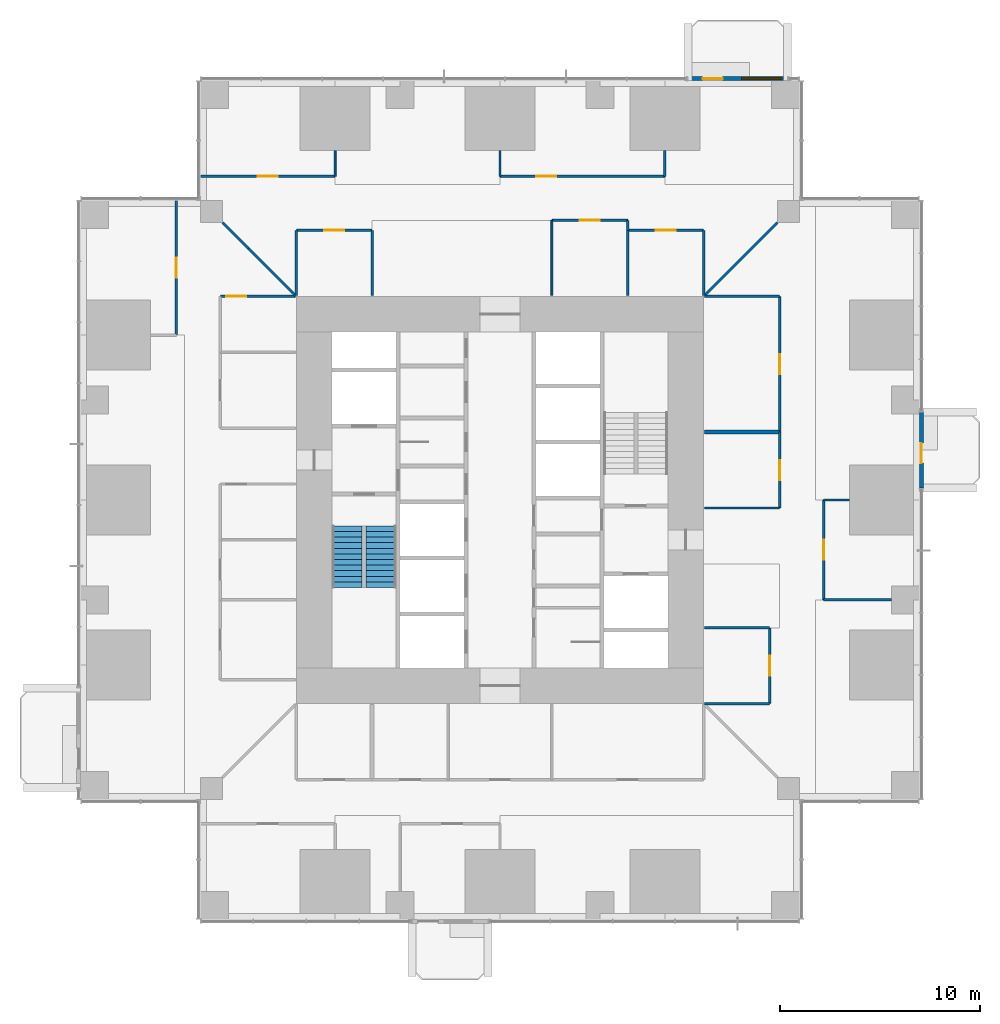
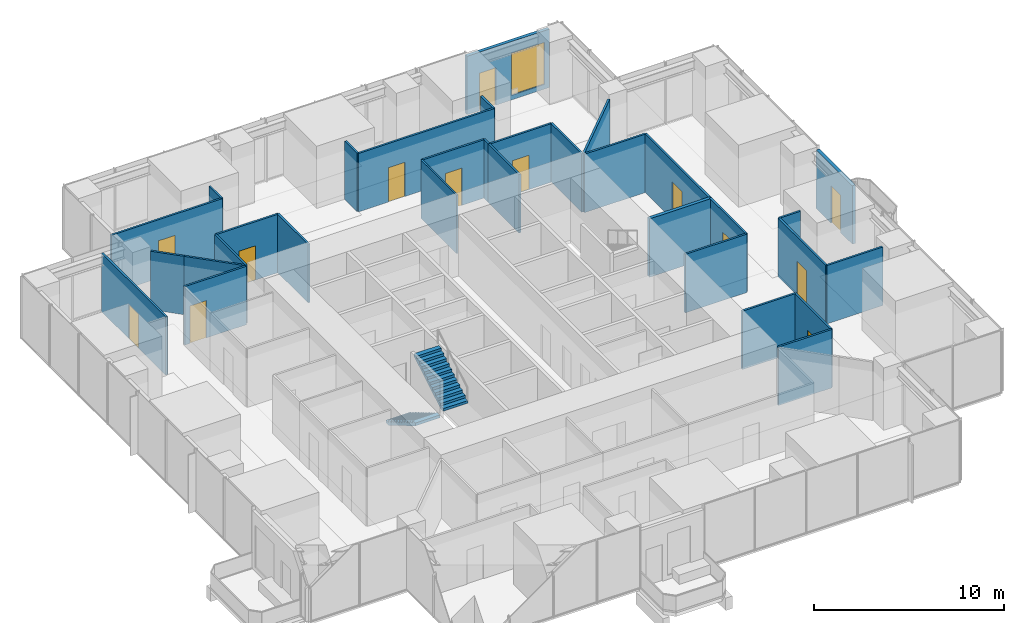
# One storey, part 13 of 17: 32 walls, 13 doors, 2 stair flights, 1 window, 14 openings, 1 element without a shape of its own.
"""IFC4 building model written with IfcOpenShell, lengths in metres."""

import ifcopenshell
import ifcopenshell.guid

model = None  # the IFC model being written
_history = None  # IfcOwnerHistory: only IFC2X3 demands one
_inside = {}  # id of a spatial element -> (the spatial element, [elements in it])
_under = {}  # id of a project, library or spatial element -> (it, [spatial elements below it])
_declared = {}  # id of a project -> (the project, [libraries it declares])
_typed = {}  # id of a type object -> (the type object, [elements of that type])
_made_of = {}  # id of a material, layer set ... -> (it, [elements and type objects made of it])


def new_model(schema):
    """Start an empty IFC model of exactly this schema.

    Asked for "IFC4X3", IfcOpenShell would pick the latest addendum, in which some entities
    have other attributes; the version numbers below select the first issue.
    IFC2X3 requires an IfcOwnerHistory on every rooted entity: one is made here for all.
    """
    global model, _history
    if schema == "IFC4X3":
        model = ifcopenshell.file(schema_version=(4, 3, 0, 0))
    else:
        model = ifcopenshell.file(schema=schema)
    _inside.clear()
    _under.clear()
    _declared.clear()
    _typed.clear()
    _made_of.clear()
    _history = None
    if model.schema == "IFC2X3":
        org = make("IfcOrganization", Name="unknown")
        user = make(
            "IfcPersonAndOrganization",
            ThePerson=make("IfcPerson", FamilyName="unknown"),
            TheOrganization=org,
        )
        app = make(
            "IfcApplication",
            ApplicationDeveloper=org,
            Version="unknown",
            ApplicationFullName="unknown",
            ApplicationIdentifier="unknown",
        )
        _history = make(
            "IfcOwnerHistory",
            OwningUser=user,
            OwningApplication=app,
            ChangeAction="ADDED",
            CreationDate=0,
        )
    return model


def make(cls, **values):
    """One entity of the class cls with the attributes given. An attribute that is None is left unset."""
    return model.create_entity(
        cls, **{name: value for name, value in values.items() if value is not None}
    )


def rooted(cls, **values):
    """An entity with a GlobalId (a new one), such as an element, a storey or a relation."""
    return make(cls, GlobalId=ifcopenshell.guid.new(), OwnerHistory=_history, **values)


def si_unit(unit_type, name, prefix=None):
    """IfcSIUnit, for example si_unit("LENGTHUNIT", "METRE", prefix="MILLI")."""
    return make("IfcSIUnit", UnitType=unit_type, Prefix=prefix, Name=name)


def assignment(units):
    """IfcUnitAssignment: the units of a project."""
    return None if units is None else make("IfcUnitAssignment", Units=units)


def point(xyz):
    """IfcCartesianPoint."""
    return None if xyz is None else make("IfcCartesianPoint", Coordinates=xyz)


def direction(xyz):
    """IfcDirection."""
    return None if xyz is None else make("IfcDirection", DirectionRatios=xyz)


def frame(location, z_axis=None, x_axis=None):
    """IfcAxis2Placement3D, a coordinate frame: its origin and axes. An axis left out is left unset."""
    return make(
        "IfcAxis2Placement3D",
        Location=point(location),
        Axis=direction(z_axis),
        RefDirection=direction(x_axis),
    )


def frame_2d(location, x_axis=None):
    """IfcAxis2Placement2D, a coordinate frame in the plane: its origin and x axis."""
    return make(
        "IfcAxis2Placement2D", Location=point(location), RefDirection=direction(x_axis)
    )


def origin():
    """The frame at (0, 0, 0) with its axes left unset."""
    return frame((0.0, 0.0, 0.0))


def place(relative_to, where):
    """IfcLocalPlacement: puts the frame where relative to a parent placement (None: the world)."""
    return make(
        "IfcLocalPlacement", PlacementRelTo=relative_to, RelativePlacement=where
    )


def context(
    kind, dimensions, precision=None, world=None, true_north=None, identifier=None
):
    """IfcGeometricRepresentationContext, for example the 3D "Model" context."""
    return make(
        "IfcGeometricRepresentationContext",
        ContextIdentifier=identifier,
        ContextType=kind,
        CoordinateSpaceDimension=dimensions,
        Precision=precision,
        WorldCoordinateSystem=world,
        TrueNorth=true_north,
    )


def subcontext(parent, identifier, kind, view, scale=None):
    """IfcGeometricRepresentationSubContext, for example "Body" below "Model"."""
    return make(
        "IfcGeometricRepresentationSubContext",
        ContextIdentifier=identifier,
        ContextType=kind,
        ParentContext=parent,
        TargetScale=scale,
        TargetView=view,
    )


def project(units=None, contexts=None):
    """IfcProject with its units and contexts."""
    return rooted(
        "IfcProject",
        Name="project",
        RepresentationContexts=contexts,
        UnitsInContext=assignment(units),
    )


def spatial(cls, under=None, at=None, **own):
    """A site, building, storey or space (cls), placed at a placement, below another one or the project."""
    s = rooted(cls, ObjectPlacement=at, **own)
    if under is not None:
        _under.setdefault(under.id(), (under, []))[1].append(s)
    return s


def polyline(points):
    """IfcPolyline through the points."""
    return make("IfcPolyline", Points=[point(p) for p in points])


def profile(cls, at=None, kind="AREA", **sizes):
    """A parametric profile (cls). Its sizes go by their IFC names, for example OverallWidth=200.0."""
    return make(cls, ProfileType=kind, Position=at, **sizes)


def rectangle(**sizes):
    """IfcRectangleProfileDef."""
    return profile("IfcRectangleProfileDef", **sizes)


def outline(outer, holes=None, kind="AREA"):
    """IfcArbitraryClosedProfileDef: a profile drawn as a closed curve; with holes, ...WithVoids."""
    if holes is None:
        return make("IfcArbitraryClosedProfileDef", ProfileType=kind, OuterCurve=outer)
    return make(
        "IfcArbitraryProfileDefWithVoids",
        ProfileType=kind,
        OuterCurve=outer,
        InnerCurves=holes,
    )


def extrude(swept, where, along, depth):
    """IfcExtrudedAreaSolid: the profile swept, set in the frame where, extruded along a direction by depth."""
    return make(
        "IfcExtrudedAreaSolid",
        SweptArea=swept,
        Position=where,
        ExtrudedDirection=direction(along),
        Depth=depth,
    )


def shape(context_of_items, identifier, shape_type, items):
    """IfcShapeRepresentation: the items that make up one representation, for example the "Body"."""
    return make(
        "IfcShapeRepresentation",
        ContextOfItems=context_of_items,
        RepresentationIdentifier=identifier,
        RepresentationType=shape_type,
        Items=items,
    )


def material(Name=None, Category=None):
    """IfcMaterial."""
    return make("IfcMaterial", Name=Name, Category=Category)


def layer(
    of_material, thickness, ventilated=None, Name=None, Category=None, Priority=None
):
    """IfcMaterialLayer: one layer of a wall or slab, of a material (None: an air gap)."""
    return make(
        "IfcMaterialLayer",
        Material=of_material,
        LayerThickness=thickness,
        IsVentilated=ventilated,
        Name=Name,
        Category=Category,
        Priority=Priority,
    )


def layer_set(layers, Name=None):
    """IfcMaterialLayerSet."""
    return make("IfcMaterialLayerSet", MaterialLayers=layers, LayerSetName=Name)


def made_of(thing, what):
    """Note that an element or type object is made of a material, layer set ...; save() writes the relation."""
    if what is not None:
        _made_of.setdefault(what.id(), (what, []))[1].append(thing)
    return thing


def type_object(cls, material=None, **own):
    """A type object (cls), such as IfcWallType, which elements share."""
    return made_of(rooted(cls, **own), material)


def element(
    cls,
    number,
    at=None,
    inside=None,
    cuts=None,
    type_object=None,
    material=None,
    context=None,
    identifier="Body",
    shape_type=None,
    held_by="IfcProductDefinitionShape",
    body=None,
    shapes=None,
    **own,
):
    """One element of the class cls, such as IfcWall. Its Tag is "e" and its number.

    at: its placement. inside: the storey or other place that contains it. cuts: it is an
    opening in that element (IfcRelVoidsElement). A single representation is given by context,
    identifier, shape_type and body (its items); several are given by shapes. held_by: the class
    of the entity that holds the representations. save() writes the other relations.
    """
    e = rooted(cls, Tag="e%d" % number, ObjectPlacement=at, **own)
    if body is not None:
        shapes = [shape(context, identifier, shape_type, body)]
    if shapes is not None:
        e.Representation = make(held_by, Representations=shapes)
    if inside is not None:
        _inside.setdefault(inside.id(), (inside, []))[1].append(e)
    if cuts is not None:
        rooted(
            "IfcRelVoidsElement", RelatingBuildingElement=cuts, RelatedOpeningElement=e
        )
    if type_object is not None:
        _typed.setdefault(type_object.id(), (type_object, []))[1].append(e)
    return made_of(e, material)


def fill(opening, filler):
    """IfcRelFillsElement: the door or window that sits in an opening."""
    return rooted(
        "IfcRelFillsElement",
        RelatingOpeningElement=opening,
        RelatedBuildingElement=filler,
    )


def aggregate(whole, parts):
    """IfcRelAggregates: a whole, such as a stair, and the parts it consists of."""
    return rooted("IfcRelAggregates", RelatingObject=whole, RelatedObjects=parts)


def save(model, path):
    """Write the relations noted so far, then the file.

    IfcRelAggregates (storeys below a building ...), IfcRelContainedInSpatialStructure (elements
    in a storey), IfcRelDefinesByType, IfcRelAssociatesMaterial and IfcRelDeclares: one each for
    every whole, place, type object, material and project.
    """
    for whole, parts in _under.values():
        aggregate(whole, parts)
    for where, things in _inside.values():
        rooted(
            "IfcRelContainedInSpatialStructure",
            RelatedElements=things,
            RelatingStructure=where,
        )
    for kind, things in _typed.values():
        rooted("IfcRelDefinesByType", RelatedObjects=things, RelatingType=kind)
    for what, things in _made_of.values():
        rooted("IfcRelAssociatesMaterial", RelatedObjects=things, RelatingMaterial=what)
    for by, libraries in _declared.values():
        rooted("IfcRelDeclares", RelatingContext=by, RelatedDefinitions=libraries)
    model.write(path)


model = new_model("IFC4")

# Units and contexts
model_context = context("Model", 3, precision=1e-05, world=origin(), true_north=direction((0.0, 1.0)))
body_context = subcontext(model_context, "Body", "Model", "MODEL_VIEW")
ifc_project = project(units=[si_unit("LENGTHUNIT", "METRE"), si_unit("AREAUNIT", "SQUARE_METRE"), si_unit("VOLUMEUNIT", "CUBIC_METRE"), si_unit("PLANEANGLEUNIT", "RADIAN"), si_unit("MASSUNIT", "GRAM", prefix="KILO")], contexts=[model_context])

# Site, building, storey
site_placement = place(None, origin())
site = spatial("IfcSite", under=ifc_project, at=site_placement, CompositionType="ELEMENT")
building_placement = place(site_placement, origin())
building = spatial("IfcBuilding", under=site, at=building_placement, Name="Svetlomir Tower", CompositionType="ELEMENT")
storey_placement = place(building_placement, frame((0.0, 0.0, 70.5)))
storey = spatial("IfcBuildingStorey", under=building, at=storey_placement, Name="L16", CompositionType="ELEMENT", Elevation=70.5)

# Wall
ifc_material_1 = material(Name="Gypsum board on twin steel studs", Category="steel")
ifc_layer_1 = layer(ifc_material_1, 0.199951171875)
ifc_layer_set_1 = layer_set([ifc_layer_1], Name="Gypsum board on twin steel studs")
wall_type_1 = type_object("IfcWallType", Name="ACOUSTIC PARTITION 200", PredefinedType="PARTITIONING", material=ifc_layer_set_1)
wall_1_placement = place(storey_placement, frame((31.25, 24.39990234375, 0.0), z_axis=(0.0, 0.0, 1.0), x_axis=(1.0, 0.0, 0.0)))
element("IfcWall", 1, at=wall_1_placement, inside=storey, type_object=wall_type_1, Name="Acoustic partition L16", PredefinedType="PARTITIONING", context=body_context, shape_type="SweptSolid", body=[
    extrude(rectangle(XDim=3.75, YDim=0.199951171875, at=frame_2d((1.875, 0.0))), origin(), (0.0, 0.0, 1.0), 3.75),
])

# Wall, opening, door
ifc_material_2 = material(Name="Bronze anodised aluminium glazed screen", Category="aluminium")
ifc_layer_2 = layer(ifc_material_2, 0.199951171875)
ifc_layer_set_2 = layer_set([ifc_layer_2], Name="Bronze anodised aluminium glazed screen")
wall_type_2 = type_object("IfcWallType", Name="BALCONY SCREEN WALL 200", PredefinedType="USERDEFINED", material=ifc_layer_set_2)
wall_2_placement = place(storey_placement, frame((42.10009765625, 21.60009765625, 0.0), z_axis=(0.0, 0.0, 1.0), x_axis=(0.0, 1.0, 0.0)))
wall_2 = element("IfcWall", 2, at=wall_2_placement, inside=storey, type_object=wall_type_2, Name="Balcony screen E", ObjectType="GLAZED SCREEN", PredefinedType="USERDEFINED", context=body_context, shape_type="SweptSolid", body=[
    extrude(rectangle(XDim=3.7998046875, YDim=0.199951171875, at=frame_2d((1.89990234375, 0.0))), origin(), (0.0, 0.0, 1.0), 3.75),
])
opening_1_placement = place(wall_2_placement, frame((1.25, 0.0, 0.0)))
opening_1 = element("IfcOpeningElement", 3, at=opening_1_placement, cuts=wall_2, Name="Opening BD", PredefinedType="OPENING", context=body_context, shape_type="SweptSolid", body=[
    extrude(rectangle(XDim=1.0, YDim=2.39990234375, at=frame_2d((0.5, 1.199951171875))), frame((0.0, 0.10986328125, 0.0), z_axis=(0.0, -1.0, 0.0), x_axis=(1.0, 0.0, 0.0)), (0.0, 0.0, 1.0), 0.219970703125),
])
ifc_material_3 = material(Name="Bronze anodised aluminium glazed door", Category="aluminium")
door_type_1 = type_object("IfcDoorType", Name="BALCONY DOOR BD 1000x2400", OperationType="SINGLE_SWING_LEFT", PredefinedType="DOOR", material=ifc_material_3)
door_1_placement = place(opening_1_placement, origin())
door_1 = element("IfcDoor", 4, at=door_1_placement, inside=storey, type_object=door_type_1, Name="Balcony screen E door", OperationType="SINGLE_SWING_LEFT", OverallHeight=2.39990234375, OverallWidth=1.0, PredefinedType="DOOR", context=body_context, shape_type="SweptSolid", body=[
    extrude(rectangle(XDim=1.0, YDim=2.39990234375, at=frame_2d((0.5, 1.199951171875))), frame((0.0, 0.02490234375, 0.0), z_axis=(0.0, -1.0, 0.0), x_axis=(1.0, 0.0, 0.0)), (0.0, 0.0, 1.0), 0.050048828125),
])
fill(opening_1, door_1)

# Wall, openings, door, window
wall_3_placement = place(storey_placement, frame((35.39990234375, 42.10009765625, 0.0), z_axis=(0.0, 0.0, 1.0), x_axis=(-1.0, 0.0, 0.0)))
wall_3 = element("IfcWall", 5, at=wall_3_placement, inside=storey, type_object=wall_type_2, Name="Balcony screen N", ObjectType="GLAZED SCREEN", PredefinedType="USERDEFINED", context=body_context, shape_type="SweptSolid", body=[
    extrude(rectangle(XDim=5.0, YDim=0.199951171875, at=frame_2d((2.5, 0.0))), origin(), (0.0, 0.0, 1.0), 3.75),
])
opening_2_placement = place(wall_3_placement, frame((3.25, 0.0, 0.0)))
opening_2 = element("IfcOpeningElement", 6, at=opening_2_placement, cuts=wall_3, Name="Opening BD", PredefinedType="OPENING", context=body_context, shape_type="SweptSolid", body=[
    extrude(rectangle(XDim=1.0, YDim=2.39990234375, at=frame_2d((0.5, 1.199951171875))), frame((0.0, 0.10986328125, 0.0), z_axis=(0.0, -1.0, 0.0), x_axis=(1.0, 0.0, 0.0)), (0.0, 0.0, 1.0), 0.219970703125),
])
opening_3_placement = place(wall_3_placement, frame((0.300048828125, 0.0, 0.300048828125)))
opening_3 = element("IfcOpeningElement", 7, at=opening_3_placement, cuts=wall_3, Name="Opening WS", PredefinedType="OPENING", context=body_context, shape_type="SweptSolid", body=[
    extrude(rectangle(XDim=2.0, YDim=2.699951171875, at=frame_2d((1.0, 1.35009765625))), frame((0.0, 0.10986328125, 0.0), z_axis=(0.0, -1.0, 0.0), x_axis=(1.0, 0.0, 0.0)), (0.0, 0.0, 1.0), 0.219970703125),
])
door_2_placement = place(opening_2_placement, origin())
door_2 = element("IfcDoor", 8, at=door_2_placement, inside=storey, type_object=door_type_1, Name="Balcony screen N door", OperationType="SINGLE_SWING_LEFT", OverallHeight=2.39990234375, OverallWidth=1.0, PredefinedType="DOOR", context=body_context, shape_type="SweptSolid", body=[
    extrude(rectangle(XDim=1.0, YDim=2.39990234375, at=frame_2d((0.5, 1.199951171875))), frame((0.0, 0.02490234375, 0.0), z_axis=(0.0, -1.0, 0.0), x_axis=(1.0, 0.0, 0.0)), (0.0, 0.0, 1.0), 0.050048828125),
])
fill(opening_2, door_2)
ifc_material_4 = material(Name="Bronze anodised aluminium window", Category="aluminium")
window_type = type_object("IfcWindowType", Name="SCREEN WINDOW WS 2000x2700", PartitioningType="SINGLE_PANEL", PredefinedType="WINDOW", material=ifc_material_4)
window_placement = place(opening_3_placement, origin())
window = element("IfcWindow", 9, at=window_placement, inside=storey, type_object=window_type, Name="Balcony screen N window 1", OverallHeight=2.699951171875, OverallWidth=2.0, PartitioningType="SINGLE_PANEL", PredefinedType="WINDOW", context=body_context, shape_type="SweptSolid", body=[
    extrude(rectangle(XDim=2.0, YDim=2.699951171875, at=frame_2d((1.0, 1.35009765625))), frame((0.0, 0.030029296875, 0.0), z_axis=(0.0, -1.0, 0.0), x_axis=(1.0, 0.0, 0.0)), (0.0, 0.0, 1.0), 0.06005859375),
])
fill(opening_3, window)

# Walls
ifc_material_5 = material(Name="Framed laminated glass partition", Category="glass")
ifc_layer_3 = layer(ifc_material_5, 0.10009765625)
ifc_layer_set_3 = layer_set([ifc_layer_3], Name="Framed laminated glass partition")
wall_type_3 = type_object("IfcWallType", Name="GLAZED PARTITION 100", PredefinedType="PARTITIONING", material=ifc_layer_set_3)
wall_4_placement = place(storey_placement, frame((12.75, 37.199951171875, 0.0), z_axis=(0.0, 0.0, 1.0), x_axis=(0.0, 1.0, 0.0)))
element("IfcWall", 10, at=wall_4_placement, inside=storey, type_object=wall_type_3, Name="Glazed partition L16", PredefinedType="PARTITIONING", context=body_context, shape_type="SweptSolid", body=[
    extrude(rectangle(XDim=1.2900390625, YDim=0.10009765625, at=frame_2d((0.64501953125, 0.0))), origin(), (0.0, 0.0, 1.0), 3.75),
])
wall_5_placement = place(storey_placement, frame((23.60009765625, 31.25, 0.0), z_axis=(0.0, 0.0, 1.0), x_axis=(0.0, 1.0, 0.0)))
element("IfcWall", 11, at=wall_5_placement, inside=storey, type_object=wall_type_3, Name="Glazed partition L16", PredefinedType="PARTITIONING", context=body_context, shape_type="SweptSolid", body=[
    extrude(rectangle(XDim=3.75, YDim=0.10009765625, at=frame_2d((1.875, 0.0))), origin(), (0.0, 0.0, 1.0), 3.75),
])

# Wall, opening, door
ifc_material_6 = material(Name="Gypsum board on steel studs", Category="steel")
ifc_layer_4 = layer(ifc_material_6, 0.1201171875)
ifc_layer_set_4 = layer_set([ifc_layer_4], Name="Gypsum board on steel studs")
wall_type_4 = type_object("IfcWallType", Name="PARTITION 120", PredefinedType="PARTITIONING", material=ifc_layer_set_4)
wall_6_placement = place(storey_placement, frame((4.800048828125, 29.25, 0.0), z_axis=(0.0, 0.0, 1.0), x_axis=(0.0, 1.0, 0.0)))
wall_6 = element("IfcWall", 12, at=wall_6_placement, inside=storey, type_object=wall_type_4, Name="Partition L16", PredefinedType="PARTITIONING", context=body_context, shape_type="SweptSolid", body=[
    extrude(rectangle(XDim=6.75, YDim=0.1201171875, at=frame_2d((3.375, 0.0))), origin(), (0.0, 0.0, 1.0), 3.75),
])
opening_4_placement = place(wall_6_placement, frame((2.875, 0.0, 0.0)))
opening_4 = element("IfcOpeningElement", 13, at=opening_4_placement, cuts=wall_6, Name="Opening DR", PredefinedType="OPENING", context=body_context, shape_type="SweptSolid", body=[
    extrude(rectangle(XDim=1.0, YDim=2.199951171875, at=frame_2d((0.5, 1.10009765625))), frame((0.0, 0.070068359375, 0.0), z_axis=(0.0, -1.0, 0.0), x_axis=(1.0, 0.0, 0.0)), (0.0, 0.0, 1.0), 0.14013671875),
])
ifc_material_7 = material(Name="Timber door, glazed side light", Category="wood")
door_type_2 = type_object("IfcDoorType", Name="DOOR DR 1000x2200", OperationType="SINGLE_SWING_LEFT", PredefinedType="DOOR", material=ifc_material_7)
door_3_placement = place(opening_4_placement, origin())
door_3 = element("IfcDoor", 14, at=door_3_placement, inside=storey, type_object=door_type_2, Name="Facilities manager office door L16", OperationType="SINGLE_SWING_LEFT", OverallHeight=2.199951171875, OverallWidth=1.0, PredefinedType="DOOR", context=body_context, shape_type="SweptSolid", body=[
    extrude(rectangle(XDim=1.0, YDim=2.199951171875, at=frame_2d((0.5, 1.10009765625))), frame((0.0, 0.02490234375, 0.0), z_axis=(0.0, -1.0, 0.0), x_axis=(1.0, 0.0, 0.0)), (0.0, 0.0, 1.0), 0.050048828125),
])
fill(opening_4, door_3)

wall_7_placement = place(storey_placement, frame((6.0, 37.199951171875, 0.0), z_axis=(0.0, 0.0, 1.0), x_axis=(1.0, 0.0, 0.0)))
wall_7 = element("IfcWall", 15, at=wall_7_placement, inside=storey, type_object=wall_type_4, Name="Partition L16", PredefinedType="PARTITIONING", context=body_context, shape_type="SweptSolid", body=[
    extrude(rectangle(XDim=6.75, YDim=0.1201171875, at=frame_2d((3.375, 0.0))), origin(), (0.0, 0.0, 1.0), 3.75),
])
opening_5_placement = place(wall_7_placement, frame((2.875, 0.0, 0.0)))
opening_5 = element("IfcOpeningElement", 16, at=opening_5_placement, cuts=wall_7, Name="Opening DG", PredefinedType="OPENING", context=body_context, shape_type="SweptSolid", body=[
    extrude(rectangle(XDim=1.0, YDim=2.39990234375, at=frame_2d((0.5, 1.199951171875))), frame((0.0, 0.070068359375, 0.0), z_axis=(0.0, -1.0, 0.0), x_axis=(1.0, 0.0, 0.0)), (0.0, 0.0, 1.0), 0.14013671875),
])
ifc_material_8 = material(Name="Framed laminated glass door", Category="glass")
door_type_3 = type_object("IfcDoorType", Name="GLAZED DOOR DG 1000x2400", OperationType="SINGLE_SWING_LEFT", PredefinedType="DOOR", material=ifc_material_8)
door_4_placement = place(opening_5_placement, origin())
door_4 = element("IfcDoor", 17, at=door_4_placement, inside=storey, type_object=door_type_3, Name="Plan review room, 10 seats door L16", OperationType="SINGLE_SWING_RIGHT", OverallHeight=2.39990234375, OverallWidth=1.0, PredefinedType="DOOR", context=body_context, shape_type="SweptSolid", body=[
    extrude(rectangle(XDim=1.0, YDim=2.39990234375, at=frame_2d((0.5, 1.199951171875))), frame((0.0, 0.02490234375, 0.0), z_axis=(0.0, -1.0, 0.0), x_axis=(1.0, 0.0, 0.0)), (0.0, 0.0, 1.0), 0.050048828125),
])
fill(opening_5, door_4)

wall_8_placement = place(storey_placement, frame((7.0, 31.199951171875, 0.0), z_axis=(0.0, 0.0, 1.0), x_axis=(1.0, 0.0, 0.0)))
wall_8 = element("IfcWall", 18, at=wall_8_placement, inside=storey, type_object=wall_type_4, Name="Partition L16", PredefinedType="PARTITIONING", context=body_context, shape_type="SweptSolid", body=[
    extrude(rectangle(XDim=3.75, YDim=0.1201171875, at=frame_2d((1.875, 0.0))), origin(), (0.0, 0.0, 1.0), 3.75),
])
opening_6_placement = place(wall_8_placement, frame((0.300048828125, 0.0, 0.0)))
opening_6 = element("IfcOpeningElement", 19, at=opening_6_placement, cuts=wall_8, Name="Opening DG", PredefinedType="OPENING", context=body_context, shape_type="SweptSolid", body=[
    extrude(rectangle(XDim=1.0, YDim=2.39990234375, at=frame_2d((0.5, 1.199951171875))), frame((0.0, 0.070068359375, 0.0), z_axis=(0.0, -1.0, 0.0), x_axis=(1.0, 0.0, 0.0)), (0.0, 0.0, 1.0), 0.14013671875),
])
door_5_placement = place(opening_6_placement, origin())
door_5 = element("IfcDoor", 20, at=door_5_placement, inside=storey, type_object=door_type_3, Name="Ring corridor 3 door 2 L16", OperationType="SINGLE_SWING_LEFT", OverallHeight=2.39990234375, OverallWidth=1.0, PredefinedType="DOOR", context=body_context, shape_type="SweptSolid", body=[
    extrude(rectangle(XDim=1.0, YDim=2.39990234375, at=frame_2d((0.5, 1.199951171875))), frame((0.0, 0.02490234375, 0.0), z_axis=(0.0, -1.0, 0.0), x_axis=(1.0, 0.0, 0.0)), (0.0, 0.0, 1.0), 0.050048828125),
])
fill(opening_6, door_5)

# Walls
wall_9_placement = place(storey_placement, frame((7.110107421875, 34.889892578125, 0.0), z_axis=(0.0, 0.0, 1.0), x_axis=(0.707106781187, -0.707106781187, 0.0)))
element("IfcWall", 21, at=wall_9_placement, inside=storey, type_object=wall_type_4, Name="Partition L16", PredefinedType="PARTITIONING", context=body_context, shape_type="SweptSolid", body=[
    extrude(rectangle(XDim=1.822021484375, YDim=0.1201171875, at=frame_2d((0.9111328125, 0.0))), origin(), (0.0, 0.0, 1.0), 3.75),
])
wall_10_placement = place(storey_placement, frame((8.3984375, 33.6015625, 0.0), z_axis=(0.0, 0.0, 1.0), x_axis=(0.707106781187, -0.707106781187, 0.0)))
element("IfcWall", 22, at=wall_10_placement, inside=storey, type_object=wall_type_4, Name="Partition L16", PredefinedType="PARTITIONING", context=body_context, shape_type="SweptSolid", body=[
    extrude(rectangle(XDim=3.346435546875, YDim=0.1201171875, at=frame_2d((1.67333984375, 0.0))), origin(), (0.0, 0.0, 1.0), 3.75),
])
wall_11_placement = place(storey_placement, frame((10.800048828125, 31.25, 0.0), z_axis=(0.0, 0.0, 1.0), x_axis=(0.0, 1.0, 0.0)))
element("IfcWall", 23, at=wall_11_placement, inside=storey, type_object=wall_type_4, Name="Partition L16", PredefinedType="PARTITIONING", context=body_context, shape_type="SweptSolid", body=[
    extrude(rectangle(XDim=3.25, YDim=0.1201171875, at=frame_2d((1.625, 0.0))), origin(), (0.0, 0.0, 1.0), 3.75),
])

# Wall, opening, door
wall_12_placement = place(storey_placement, frame((10.800048828125, 34.5, 0.0), z_axis=(0.0, 0.0, 1.0), x_axis=(1.0, 0.0, 0.0)))
wall_12 = element("IfcWall", 24, at=wall_12_placement, inside=storey, type_object=wall_type_4, Name="Partition L16", PredefinedType="PARTITIONING", context=body_context, shape_type="SweptSolid", body=[
    extrude(rectangle(XDim=3.800048828125, YDim=0.1201171875, at=frame_2d((1.89990234375, 0.0))), origin(), (0.0, 0.0, 1.0), 3.75),
])
opening_7_placement = place(wall_12_placement, frame((1.39990234375, 0.0, 0.0)))
opening_7 = element("IfcOpeningElement", 25, at=opening_7_placement, cuts=wall_12, Name="Opening DR", PredefinedType="OPENING", context=body_context, shape_type="SweptSolid", body=[
    extrude(rectangle(XDim=1.0, YDim=2.199951171875, at=frame_2d((0.5, 1.10009765625))), frame((0.0, 0.070068359375, 0.0), z_axis=(0.0, -1.0, 0.0), x_axis=(1.0, 0.0, 0.0)), (0.0, 0.0, 1.0), 0.14013671875),
])
door_6_placement = place(opening_7_placement, origin())
door_6 = element("IfcDoor", 26, at=door_6_placement, inside=storey, type_object=door_type_2, Name="Plan chest store door L16", OperationType="SINGLE_SWING_RIGHT", OverallHeight=2.199951171875, OverallWidth=1.0, PredefinedType="DOOR", context=body_context, shape_type="SweptSolid", body=[
    extrude(rectangle(XDim=1.0, YDim=2.199951171875, at=frame_2d((0.5, 1.10009765625))), frame((0.0, 0.02490234375, 0.0), z_axis=(0.0, -1.0, 0.0), x_axis=(1.0, 0.0, 0.0)), (0.0, 0.0, 1.0), 0.050048828125),
])
fill(opening_7, door_6)

# Walls
wall_13_placement = place(storey_placement, frame((14.60009765625, 31.25, 0.0), z_axis=(0.0, 0.0, 1.0), x_axis=(0.0, 1.0, 0.0)))
element("IfcWall", 27, at=wall_13_placement, inside=storey, type_object=wall_type_4, Name="Partition L16", PredefinedType="PARTITIONING", context=body_context, shape_type="SweptSolid", body=[
    extrude(rectangle(XDim=3.25, YDim=0.1201171875, at=frame_2d((1.625, 0.0))), origin(), (0.0, 0.0, 1.0), 3.75),
])
wall_14_placement = place(storey_placement, frame((21.0, 37.199951171875, 0.0), z_axis=(0.0, 0.0, 1.0), x_axis=(0.0, 1.0, 0.0)))
element("IfcWall", 28, at=wall_14_placement, inside=storey, type_object=wall_type_4, Name="Partition L16", PredefinedType="PARTITIONING", context=body_context, shape_type="SweptSolid", body=[
    extrude(rectangle(XDim=1.2900390625, YDim=0.1201171875, at=frame_2d((0.64501953125, 0.0))), origin(), (0.0, 0.0, 1.0), 3.75),
])

# Wall, opening, door
wall_15_placement = place(storey_placement, frame((21.0, 37.199951171875, 0.0), z_axis=(0.0, 0.0, 1.0), x_axis=(1.0, 0.0, 0.0)))
wall_15 = element("IfcWall", 29, at=wall_15_placement, inside=storey, type_object=wall_type_4, Name="Partition L16", PredefinedType="PARTITIONING", context=body_context, shape_type="SweptSolid", body=[
    extrude(rectangle(XDim=8.25, YDim=0.1201171875, at=frame_2d((4.125, 0.0))), origin(), (0.0, 0.0, 1.0), 3.75),
])
opening_8_placement = place(wall_15_placement, frame((1.824951171875, 0.0, 0.0)))
opening_8 = element("IfcOpeningElement", 30, at=opening_8_placement, cuts=wall_15, Name="Opening DR", PredefinedType="OPENING", context=body_context, shape_type="SweptSolid", body=[
    extrude(rectangle(XDim=1.0, YDim=2.199951171875, at=frame_2d((0.5, 1.10009765625))), frame((0.0, 0.070068359375, 0.0), z_axis=(0.0, -1.0, 0.0), x_axis=(1.0, 0.0, 0.0)), (0.0, 0.0, 1.0), 0.14013671875),
])
door_7_placement = place(opening_8_placement, origin())
door_7 = element("IfcDoor", 31, at=door_7_placement, inside=storey, type_object=door_type_2, Name="Model room door L16", OperationType="SINGLE_SWING_LEFT", OverallHeight=2.199951171875, OverallWidth=1.0, PredefinedType="DOOR", context=body_context, shape_type="SweptSolid", body=[
    extrude(rectangle(XDim=1.0, YDim=2.199951171875, at=frame_2d((0.5, 1.10009765625))), frame((0.0, 0.02490234375, 0.0), z_axis=(0.0, -1.0, 0.0), x_axis=(1.0, 0.0, 0.0)), (0.0, 0.0, 1.0), 0.050048828125),
])
fill(opening_8, door_7)

wall_16_placement = place(storey_placement, frame((23.60009765625, 35.0, 0.0), z_axis=(0.0, 0.0, 1.0), x_axis=(1.0, 0.0, 0.0)))
wall_16 = element("IfcWall", 32, at=wall_16_placement, inside=storey, type_object=wall_type_4, Name="Partition L16", PredefinedType="PARTITIONING", context=body_context, shape_type="SweptSolid", body=[
    extrude(rectangle(XDim=3.7998046875, YDim=0.1201171875, at=frame_2d((1.89990234375, 0.0))), origin(), (0.0, 0.0, 1.0), 3.75),
])
opening_9_placement = place(wall_16_placement, frame((1.39990234375, 0.0, 0.0)))
opening_9 = element("IfcOpeningElement", 33, at=opening_9_placement, cuts=wall_16, Name="Opening DG", PredefinedType="OPENING", context=body_context, shape_type="SweptSolid", body=[
    extrude(rectangle(XDim=1.0, YDim=2.39990234375, at=frame_2d((0.5, 1.199951171875))), frame((0.0, 0.070068359375, 0.0), z_axis=(0.0, -1.0, 0.0), x_axis=(1.0, 0.0, 0.0)), (0.0, 0.0, 1.0), 0.14013671875),
])
door_8_placement = place(opening_9_placement, origin())
door_8 = element("IfcDoor", 34, at=door_8_placement, inside=storey, type_object=door_type_3, Name="Focus room 2 door L16", OperationType="SINGLE_SWING_LEFT", OverallHeight=2.39990234375, OverallWidth=1.0, PredefinedType="DOOR", context=body_context, shape_type="SweptSolid", body=[
    extrude(rectangle(XDim=1.0, YDim=2.39990234375, at=frame_2d((0.5, 1.199951171875))), frame((0.0, 0.02490234375, 0.0), z_axis=(0.0, -1.0, 0.0), x_axis=(1.0, 0.0, 0.0)), (0.0, 0.0, 1.0), 0.050048828125),
])
fill(opening_9, door_8)

# Walls
wall_17_placement = place(storey_placement, frame((27.39990234375, 31.25, 0.0), z_axis=(0.0, 0.0, 1.0), x_axis=(0.0, 1.0, 0.0)))
element("IfcWall", 35, at=wall_17_placement, inside=storey, type_object=wall_type_4, Name="Partition L16", PredefinedType="PARTITIONING", context=body_context, shape_type="SweptSolid", body=[
    extrude(rectangle(XDim=3.25, YDim=0.1201171875, at=frame_2d((1.625, 0.0))), origin(), (0.0, 0.0, 1.0), 3.75),
])
wall_18_placement = place(storey_placement, frame((27.39990234375, 34.5, 0.0), z_axis=(0.0, 0.0, 1.0), x_axis=(0.0, 1.0, 0.0)))
element("IfcWall", 36, at=wall_18_placement, inside=storey, type_object=wall_type_4, Name="Partition L16", PredefinedType="PARTITIONING", context=body_context, shape_type="SweptSolid", body=[
    extrude(rectangle(XDim=0.5, YDim=0.1201171875, at=frame_2d((0.25, 0.0))), origin(), (0.0, 0.0, 1.0), 3.75),
])

# Wall, opening, door
wall_19_placement = place(storey_placement, frame((27.39990234375, 34.5, 0.0), z_axis=(0.0, 0.0, 1.0), x_axis=(1.0, 0.0, 0.0)))
wall_19 = element("IfcWall", 37, at=wall_19_placement, inside=storey, type_object=wall_type_4, Name="Partition L16", PredefinedType="PARTITIONING", context=body_context, shape_type="SweptSolid", body=[
    extrude(rectangle(XDim=3.800048828125, YDim=0.1201171875, at=frame_2d((1.89990234375, 0.0))), origin(), (0.0, 0.0, 1.0), 3.75),
])
opening_10_placement = place(wall_19_placement, frame((1.39990234375, 0.0, 0.0)))
opening_10 = element("IfcOpeningElement", 38, at=opening_10_placement, cuts=wall_19, Name="Opening DR", PredefinedType="OPENING", context=body_context, shape_type="SweptSolid", body=[
    extrude(rectangle(XDim=1.0, YDim=2.199951171875, at=frame_2d((0.5, 1.10009765625))), frame((0.0, 0.070068359375, 0.0), z_axis=(0.0, -1.0, 0.0), x_axis=(1.0, 0.0, 0.0)), (0.0, 0.0, 1.0), 0.14013671875),
])
door_9_placement = place(opening_10_placement, origin())
door_9 = element("IfcDoor", 39, at=door_9_placement, inside=storey, type_object=door_type_2, Name="Print and plot room door L16", OperationType="SINGLE_SWING_RIGHT", OverallHeight=2.199951171875, OverallWidth=1.0, PredefinedType="DOOR", context=body_context, shape_type="SweptSolid", body=[
    extrude(rectangle(XDim=1.0, YDim=2.199951171875, at=frame_2d((0.5, 1.10009765625))), frame((0.0, 0.02490234375, 0.0), z_axis=(0.0, -1.0, 0.0), x_axis=(1.0, 0.0, 0.0)), (0.0, 0.0, 1.0), 0.050048828125),
])
fill(opening_10, door_9)

# Walls
wall_20_placement = place(storey_placement, frame((29.25, 37.199951171875, 0.0), z_axis=(0.0, 0.0, 1.0), x_axis=(0.0, 1.0, 0.0)))
element("IfcWall", 40, at=wall_20_placement, inside=storey, type_object=wall_type_4, Name="Partition L16", PredefinedType="PARTITIONING", context=body_context, shape_type="SweptSolid", body=[
    extrude(rectangle(XDim=1.2900390625, YDim=0.1201171875, at=frame_2d((0.64501953125, 0.0))), origin(), (0.0, 0.0, 1.0), 3.75),
])
wall_21_placement = place(storey_placement, frame((31.199951171875, 31.25, 0.0), z_axis=(0.0, 0.0, 1.0), x_axis=(0.0, 1.0, 0.0)))
element("IfcWall", 41, at=wall_21_placement, inside=storey, type_object=wall_type_4, Name="Partition L16", PredefinedType="PARTITIONING", context=body_context, shape_type="SweptSolid", body=[
    extrude(rectangle(XDim=3.25, YDim=0.1201171875, at=frame_2d((1.625, 0.0))), origin(), (0.0, 0.0, 1.0), 3.75),
])
wall_22_placement = place(storey_placement, frame((31.2353515625, 31.2353515625, 0.0), z_axis=(0.0, 0.0, 1.0), x_axis=(0.707106781187, 0.707106781187, 0.0)))
element("IfcWall", 42, at=wall_22_placement, inside=storey, type_object=wall_type_4, Name="Partition L16", PredefinedType="PARTITIONING", context=body_context, shape_type="SweptSolid", body=[
    extrude(rectangle(XDim=5.168212890625, YDim=0.1201171875, at=frame_2d((2.583984375, 0.0))), origin(), (0.0, 0.0, 1.0), 3.75),
])
for number, where, z_axis, x_axis, name in (
    (43, (31.25, 10.800048828125, 0.0), (0.0, 0.0, 1.0), (1.0, 0.0, 0.0), "Partition L16"),
    (44, (31.25, 14.60009765625, 0.0), (0.0, 0.0, 1.0), (1.0, 0.0, 0.0), "Partition L16"),
):
    element("IfcWall", number, at=place(storey_placement, frame(where, z_axis=z_axis, x_axis=x_axis)), inside=storey, type_object=wall_type_4, Name=name, PredefinedType="PARTITIONING", context=body_context, shape_type="SweptSolid", body=[
        extrude(rectangle(XDim=3.25, YDim=0.1201171875, at=frame_2d((1.625, 0.0))), origin(), (0.0, 0.0, 1.0), 3.75),
    ])
for number, where, z_axis, x_axis, name in (
    (45, (31.25, 20.60009765625, 0.0), (0.0, 0.0, 1.0), (1.0, 0.0, 0.0), "Partition L16"),
    (46, (31.25, 31.199951171875, 0.0), (0.0, 0.0, 1.0), (1.0, 0.0, 0.0), "Partition L16"),
):
    element("IfcWall", number, at=place(storey_placement, frame(where, z_axis=z_axis, x_axis=x_axis)), inside=storey, type_object=wall_type_4, Name=name, PredefinedType="PARTITIONING", context=body_context, shape_type="SweptSolid", body=[
        extrude(rectangle(XDim=3.75, YDim=0.1201171875, at=frame_2d((1.875, 0.0))), origin(), (0.0, 0.0, 1.0), 3.75),
    ])

# Wall, opening, door
wall_23_placement = place(storey_placement, frame((34.5, 10.800048828125, 0.0), z_axis=(0.0, 0.0, 1.0), x_axis=(0.0, 1.0, 0.0)))
wall_23 = element("IfcWall", 47, at=wall_23_placement, inside=storey, type_object=wall_type_4, Name="Partition L16", PredefinedType="PARTITIONING", context=body_context, shape_type="SweptSolid", body=[
    extrude(rectangle(XDim=3.800048828125, YDim=0.1201171875, at=frame_2d((1.89990234375, 0.0))), origin(), (0.0, 0.0, 1.0), 3.75),
])
opening_11_placement = place(wall_23_placement, frame((1.39990234375, 0.0, 0.0)))
opening_11 = element("IfcOpeningElement", 48, at=opening_11_placement, cuts=wall_23, Name="Opening DR", PredefinedType="OPENING", context=body_context, shape_type="SweptSolid", body=[
    extrude(rectangle(XDim=1.0, YDim=2.199951171875, at=frame_2d((0.5, 1.10009765625))), frame((0.0, 0.070068359375, 0.0), z_axis=(0.0, -1.0, 0.0), x_axis=(1.0, 0.0, 0.0)), (0.0, 0.0, 1.0), 0.14013671875),
])
door_10_placement = place(opening_11_placement, origin())
door_10 = element("IfcDoor", 49, at=door_10_placement, inside=storey, type_object=door_type_2, Name="Contracts archive door L16", OperationType="SINGLE_SWING_RIGHT", OverallHeight=2.199951171875, OverallWidth=1.0, PredefinedType="DOOR", context=body_context, shape_type="SweptSolid", body=[
    extrude(rectangle(XDim=1.0, YDim=2.199951171875, at=frame_2d((0.5, 1.10009765625))), frame((0.0, 0.02490234375, 0.0), z_axis=(0.0, -1.0, 0.0), x_axis=(1.0, 0.0, 0.0)), (0.0, 0.0, 1.0), 0.050048828125),
])
fill(opening_11, door_10)

wall_24_placement = place(storey_placement, frame((35.0, 20.60009765625, 0.0), z_axis=(0.0, 0.0, 1.0), x_axis=(0.0, 1.0, 0.0)))
wall_24 = element("IfcWall", 50, at=wall_24_placement, inside=storey, type_object=wall_type_4, Name="Partition L16", PredefinedType="PARTITIONING", context=body_context, shape_type="SweptSolid", body=[
    extrude(rectangle(XDim=3.7998046875, YDim=0.1201171875, at=frame_2d((1.89990234375, 0.0))), origin(), (0.0, 0.0, 1.0), 3.75),
])
opening_12_placement = place(wall_24_placement, frame((1.39990234375, 0.0, 0.0)))
opening_12 = element("IfcOpeningElement", 51, at=opening_12_placement, cuts=wall_24, Name="Opening DG", PredefinedType="OPENING", context=body_context, shape_type="SweptSolid", body=[
    extrude(rectangle(XDim=1.0, YDim=2.39990234375, at=frame_2d((0.5, 1.199951171875))), frame((0.0, 0.070068359375, 0.0), z_axis=(0.0, -1.0, 0.0), x_axis=(1.0, 0.0, 0.0)), (0.0, 0.0, 1.0), 0.14013671875),
])
door_11_placement = place(opening_12_placement, origin())
door_11 = element("IfcDoor", 52, at=door_11_placement, inside=storey, type_object=door_type_3, Name="Supplier meeting room, 4 seats door L16", OperationType="SINGLE_SWING_LEFT", OverallHeight=2.39990234375, OverallWidth=1.0, PredefinedType="DOOR", context=body_context, shape_type="SweptSolid", body=[
    extrude(rectangle(XDim=1.0, YDim=2.39990234375, at=frame_2d((0.5, 1.199951171875))), frame((0.0, 0.02490234375, 0.0), z_axis=(0.0, -1.0, 0.0), x_axis=(1.0, 0.0, 0.0)), (0.0, 0.0, 1.0), 0.050048828125),
])
fill(opening_12, door_11)

wall_25_placement = place(storey_placement, frame((35.0, 24.39990234375, 0.0), z_axis=(0.0, 0.0, 1.0), x_axis=(0.0, 1.0, 0.0)))
wall_25 = element("IfcWall", 53, at=wall_25_placement, inside=storey, type_object=wall_type_4, Name="Partition L16", PredefinedType="PARTITIONING", context=body_context, shape_type="SweptSolid", body=[
    extrude(rectangle(XDim=6.800048828125, YDim=0.1201171875, at=frame_2d((3.39990234375, 0.0))), origin(), (0.0, 0.0, 1.0), 3.75),
])
opening_13_placement = place(wall_25_placement, frame((2.89990234375, 0.0, 0.0)))
opening_13 = element("IfcOpeningElement", 54, at=opening_13_placement, cuts=wall_25, Name="Opening DG", PredefinedType="OPENING", context=body_context, shape_type="SweptSolid", body=[
    extrude(rectangle(XDim=1.0, YDim=2.39990234375, at=frame_2d((0.5, 1.199951171875))), frame((0.0, 0.070068359375, 0.0), z_axis=(0.0, -1.0, 0.0), x_axis=(1.0, 0.0, 0.0)), (0.0, 0.0, 1.0), 0.14013671875),
])
door_12_placement = place(opening_13_placement, origin())
door_12 = element("IfcDoor", 55, at=door_12_placement, inside=storey, type_object=door_type_3, Name="Meeting room, 10 seats door L16", OperationType="SINGLE_SWING_RIGHT", OverallHeight=2.39990234375, OverallWidth=1.0, PredefinedType="DOOR", context=body_context, shape_type="SweptSolid", body=[
    extrude(rectangle(XDim=1.0, YDim=2.39990234375, at=frame_2d((0.5, 1.199951171875))), frame((0.0, 0.02490234375, 0.0), z_axis=(0.0, -1.0, 0.0), x_axis=(1.0, 0.0, 0.0)), (0.0, 0.0, 1.0), 0.050048828125),
])
fill(opening_13, door_12)

wall_26_placement = place(storey_placement, frame((37.199951171875, 16.0, 0.0), z_axis=(0.0, 0.0, 1.0), x_axis=(0.0, 1.0, 0.0)))
wall_26 = element("IfcWall", 56, at=wall_26_placement, inside=storey, type_object=wall_type_4, Name="Partition L16", PredefinedType="PARTITIONING", context=body_context, shape_type="SweptSolid", body=[
    extrude(rectangle(XDim=5.0, YDim=0.1201171875, at=frame_2d((2.5, 0.0))), origin(), (0.0, 0.0, 1.0), 3.75),
])
opening_14_placement = place(wall_26_placement, frame((2.0, 0.0, 0.0)))
opening_14 = element("IfcOpeningElement", 57, at=opening_14_placement, cuts=wall_26, Name="Opening DR", PredefinedType="OPENING", context=body_context, shape_type="SweptSolid", body=[
    extrude(rectangle(XDim=1.0, YDim=2.199951171875, at=frame_2d((0.5, 1.10009765625))), frame((0.0, 0.070068359375, 0.0), z_axis=(0.0, -1.0, 0.0), x_axis=(1.0, 0.0, 0.0)), (0.0, 0.0, 1.0), 0.14013671875),
])
door_13_placement = place(opening_14_placement, origin())
door_13 = element("IfcDoor", 58, at=door_13_placement, inside=storey, type_object=door_type_2, Name="Property manager's office door L16", OperationType="SINGLE_SWING_RIGHT", OverallHeight=2.199951171875, OverallWidth=1.0, PredefinedType="DOOR", context=body_context, shape_type="SweptSolid", body=[
    extrude(rectangle(XDim=1.0, YDim=2.199951171875, at=frame_2d((0.5, 1.10009765625))), frame((0.0, 0.02490234375, 0.0), z_axis=(0.0, -1.0, 0.0), x_axis=(1.0, 0.0, 0.0)), (0.0, 0.0, 1.0), 0.050048828125),
])
fill(opening_14, door_13)

# Walls
wall_27_placement = place(storey_placement, frame((37.199951171875, 16.0, 0.0), z_axis=(0.0, 0.0, 1.0), x_axis=(1.0, 0.0, 0.0)))
element("IfcWall", 59, at=wall_27_placement, inside=storey, type_object=wall_type_4, Name="Partition L16", PredefinedType="PARTITIONING", context=body_context, shape_type="SweptSolid", body=[
    extrude(rectangle(XDim=3.39013671875, YDim=0.1201171875, at=frame_2d((1.695068359375, 0.0))), origin(), (0.0, 0.0, 1.0), 3.75),
])
wall_28_placement = place(storey_placement, frame((37.199951171875, 21.0, 0.0), z_axis=(0.0, 0.0, 1.0), x_axis=(1.0, 0.0, 0.0)))
element("IfcWall", 60, at=wall_28_placement, inside=storey, type_object=wall_type_4, Name="Partition L16", PredefinedType="PARTITIONING", context=body_context, shape_type="SweptSolid", body=[
    extrude(rectangle(XDim=1.2900390625, YDim=0.1201171875, at=frame_2d((0.64501953125, 0.0))), origin(), (0.0, 0.0, 1.0), 3.75),
])

# Stair, stair flights
ifc_material_9 = material(Name="Concrete C60/75", Category="concrete")
stair_type = type_object("IfcStairType", Name="EXIT STAIR 3200 RISE 4000", PredefinedType="HALF_TURN_STAIR", material=ifc_material_9)
stair_placement = place(storey_placement, origin())
stair = element("IfcStair", 61, at=stair_placement, inside=storey, type_object=stair_type, Name="Stair S1 L16 to L17", PredefinedType="HALF_TURN_STAIR")
ifc_material_10 = material(Name="Concrete C60/75", Category="concrete")
stair_flight_type = type_object("IfcStairFlightType", Name="STAIR FLIGHT 1500 OF 12 RISERS", PredefinedType="STRAIGHT", material=ifc_material_10)
stair_flight_1_placement = place(storey_placement, frame((13.35009765625, 19.699951171875, 0.0), z_axis=(0.0, 0.0, 1.0), x_axis=(0.0, -1.0, 0.0)))
stair_flight_1 = element("IfcStairFlight", 62, at=stair_flight_1_placement, type_object=stair_flight_type, Name="S1 flight 1", NumberOfRisers=12, NumberOfTreads=11, PredefinedType="STRAIGHT", RiserHeight=0.166666667, TreadLength=0.28, context=body_context, shape_type="SweptSolid", body=[
    extrude(outline(polyline([(0.0, 0.0), (0.0, 0.166748046875), (0.280029296875, 0.166748046875), (0.280029296875, 0.333251953125), (0.56005859375, 0.333251953125), (0.56005859375, 0.5), (0.840087890625, 0.5), (0.840087890625, 0.666748046875), (1.1201171875, 0.666748046875), (1.1201171875, 0.833251953125), (1.39990234375, 0.833251953125), (1.39990234375, 1.0), (1.679931640625, 1.0), (1.679931640625, 1.166748046875), (1.9599609375, 1.166748046875), (1.9599609375, 1.333251953125), (2.239990234375, 1.333251953125), (2.239990234375, 1.5), (2.52001953125, 1.5), (2.52001953125, 1.666748046875), (2.800048828125, 1.666748046875), (2.800048828125, 1.833251953125), (3.080078125, 1.833251953125), (3.080078125, 2.0), (3.080078125, 1.658935546875), (0.29296875, 0.0), (0.0, 0.0)])), frame((0.0, 0.75, 0.0), z_axis=(0.0, -1.0, 0.0), x_axis=(1.0, 0.0, 0.0)), (0.0, 0.0, 1.0), 1.5),
])
stair_flight_2_placement = place(storey_placement, frame((15.050048828125, 16.6201171875, 2.0), z_axis=(0.0, 0.0, 1.0), x_axis=(0.0, 1.0, 0.0)))
stair_flight_2 = element("IfcStairFlight", 63, at=stair_flight_2_placement, type_object=stair_flight_type, Name="S1 flight 2", NumberOfRisers=12, NumberOfTreads=11, PredefinedType="STRAIGHT", RiserHeight=0.166666667, TreadLength=0.28, context=body_context, shape_type="SweptSolid", body=[
    extrude(outline(polyline([(0.0, 0.0), (0.0, 0.166748046875), (0.280029296875, 0.166748046875), (0.280029296875, 0.333251953125), (0.56005859375, 0.333251953125), (0.56005859375, 0.5), (0.840087890625, 0.5), (0.840087890625, 0.666748046875), (1.1201171875, 0.666748046875), (1.1201171875, 0.833251953125), (1.39990234375, 0.833251953125), (1.39990234375, 1.0), (1.679931640625, 1.0), (1.679931640625, 1.166748046875), (1.9599609375, 1.166748046875), (1.9599609375, 1.333251953125), (2.239990234375, 1.333251953125), (2.239990234375, 1.5), (2.52001953125, 1.5), (2.52001953125, 1.666748046875), (2.800048828125, 1.666748046875), (2.800048828125, 1.833251953125), (3.080078125, 1.833251953125), (3.080078125, 2.0), (3.080078125, 1.658935546875), (0.29296875, 0.0), (0.0, 0.0)])), frame((0.0, 0.75, 0.0), z_axis=(0.0, -1.0, 0.0), x_axis=(1.0, 0.0, 0.0)), (0.0, 0.0, 1.0), 1.5),
])
aggregate(stair, [stair_flight_1, stair_flight_2])

save(model, "model.ifc")
